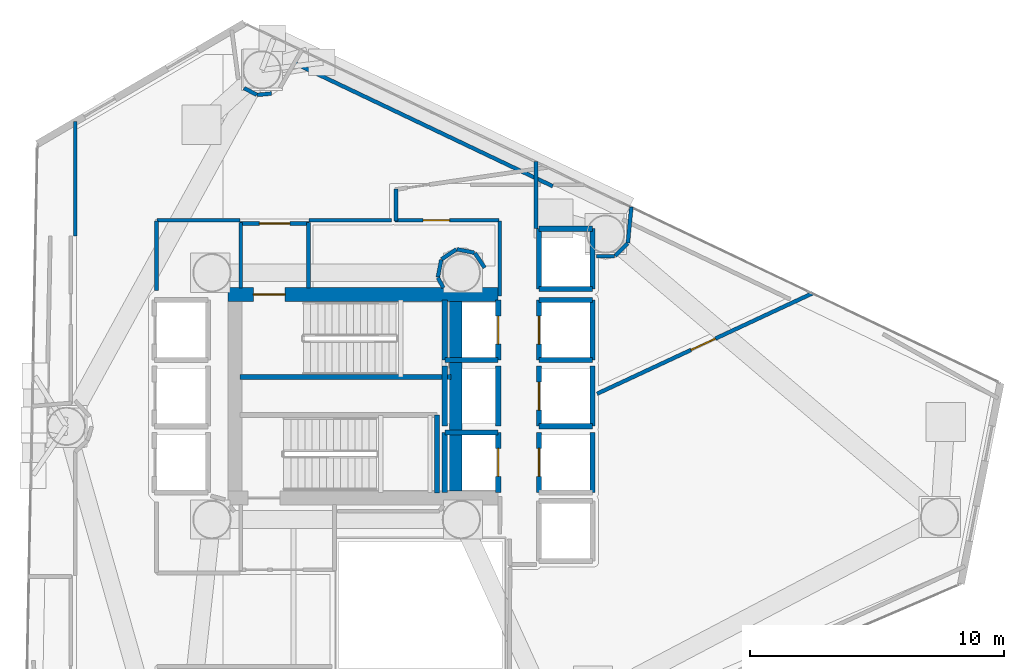
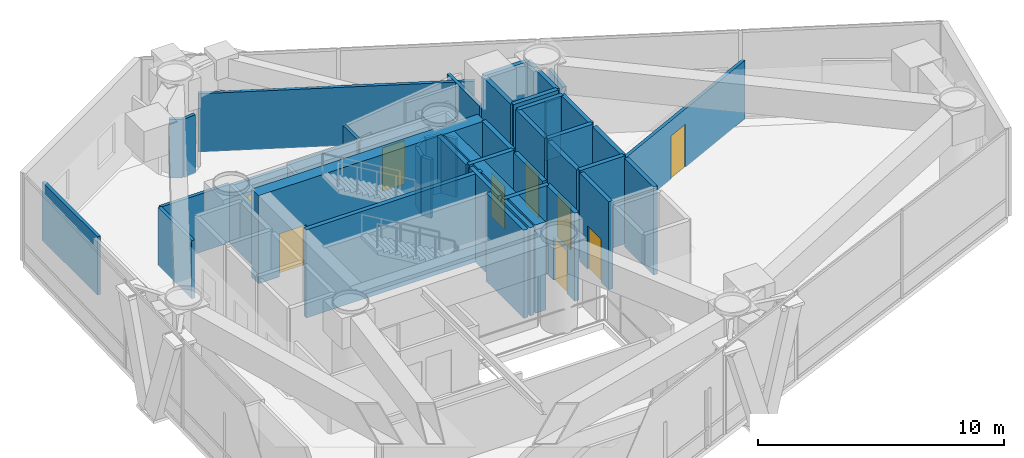
# One storey, part 19 of 22: 48 walls, 9 doors, 9 openings.
"""IFC4 building model written with IfcOpenShell, lengths in metres."""

from ifc_helpers import new_model, si_unit, direction, frame, frame_2d, origin, place, context, subcontext, project, spatial, rectangle, extrude, material, layer, layer_set, type_object, element, fill, save


model = new_model("IFC4")

# Units and contexts
model_context = context("Model", 3, precision=1e-05, world=origin(), true_north=direction((0.0, 1.0)))
body_context = subcontext(model_context, "Body", "Model", "MODEL_VIEW")
ifc_project = project(units=[si_unit("LENGTHUNIT", "METRE"), si_unit("AREAUNIT", "SQUARE_METRE"), si_unit("VOLUMEUNIT", "CUBIC_METRE"), si_unit("PLANEANGLEUNIT", "RADIAN"), si_unit("MASSUNIT", "GRAM", prefix="KILO")], contexts=[model_context])

# Site, building, storey
site_placement = place(None, origin())
site = spatial("IfcSite", under=ifc_project, at=site_placement, CompositionType="ELEMENT")
building_placement = place(site_placement, origin())
building = spatial("IfcBuilding", under=site, at=building_placement, Name="Qianvela Tower", CompositionType="ELEMENT")
storey_placement = place(building_placement, frame((0.0, 0.0, 138.5)))
storey = spatial("IfcBuildingStorey", under=building, at=storey_placement, Name="L35", CompositionType="ELEMENT", Elevation=138.5)

# Wall, opening, door
ifc_material_1 = material(Name="Concrete C60", Category="concrete")
ifc_layer_1 = layer(ifc_material_1, 0.550048828125)
ifc_layer_set_1 = layer_set([ifc_layer_1], Name="Concrete C60")
wall_type_1 = type_object("IfcWallType", Name="WT-CORE-550", PredefinedType="SHEAR", material=ifc_layer_set_1)
wall_1_placement = place(storey_placement, frame((29.22998046875, 32.695068359375, 0.0), z_axis=(0.0, 0.0, 1.0), x_axis=(1.0, 0.0, 0.0)))
wall_1 = element("IfcWall", 1, at=wall_1_placement, inside=storey, type_object=wall_type_1, Name="L35 North Core Shear Wall", PredefinedType="SHEAR", context=body_context, shape_type="SweptSolid", body=[
    extrude(rectangle(XDim=10.6201171875, YDim=0.550048828125, at=frame_2d((5.31005859375, 0.0))), origin(), (0.0, 0.0, 1.0), 4.3798828125),
])
opening_1_placement = place(wall_1_placement, frame((0.9951171875, 0.0, 0.0)))
opening_1 = element("IfcOpeningElement", 2, at=opening_1_placement, cuts=wall_1, Name="Opening D-ST1", PredefinedType="OPENING", context=body_context, shape_type="SweptSolid", body=[
    extrude(rectangle(XDim=1.25, YDim=2.14990234375, at=frame_2d((0.625, 1.074951171875))), frame((0.0, 0.284912109375, 0.0), z_axis=(0.0, -1.0, 0.0), x_axis=(1.0, 0.0, 0.0)), (0.0, 0.0, 1.0), 0.570068359375),
])
ifc_material_2 = material(Name="Galvanised Fire Steel Q355B", Category="steel")
door_type_1 = type_object("IfcDoorType", Name="DT-STAIR-FD90", OperationType="NOTDEFINED", PredefinedType="DOOR", material=ifc_material_2)
door_1_placement = place(opening_1_placement, origin())
door_1 = element("IfcDoor", 3, at=door_1_placement, inside=storey, type_object=door_type_1, Name="L35 Stair ST-1 Exit Door", OperationType="SINGLE_SWING_RIGHT", OverallHeight=2.14990234375, OverallWidth=1.25, PredefinedType="DOOR", context=body_context, shape_type="SweptSolid", body=[
    extrude(rectangle(XDim=1.25, YDim=2.14990234375, at=frame_2d((0.625, 1.074951171875))), frame((0.0, 0.02490234375, 0.0), z_axis=(0.0, -1.0, 0.0), x_axis=(1.0, 0.0, 0.0)), (0.0, 0.0, 1.0), 0.050048828125),
])
fill(opening_1, door_1)

# Walls
wall_2_placement = place(storey_placement, frame((38.179931640625, 24.97998046875, 0.0), z_axis=(0.0, 0.0, 1.0), x_axis=(0.0, 1.0, 0.0)))
element("IfcWall", 4, at=wall_2_placement, inside=storey, type_object=wall_type_1, Name="L35 East Spine Core Shear Wall", PredefinedType="SHEAR", context=body_context, shape_type="SweptSolid", body=[
    extrude(rectangle(XDim=7.43994140625, YDim=0.5, at=frame_2d((3.719970703125, 0.0))), origin(), (0.0, 0.0, 1.0), 4.3798828125),
])
ifc_material_3 = material(Name="Fire-Rated Acoustic Gypsum Board")
ifc_layer_2 = layer(ifc_material_3, 0.14990234375)
ifc_layer_set_2 = layer_set([ifc_layer_2], Name="Fire-Rated Acoustic Gypsum Board")
wall_type_2 = type_object("IfcWallType", Name="WT-CORR-150", PredefinedType="PARTITIONING", material=ifc_layer_set_2)
wall_3_placement = place(storey_placement, frame((29.73095703125, 32.9580078125, 0.0), z_axis=(0.0, 0.0, 1.0), x_axis=(0.0, 1.0, 0.0)))
element("IfcWall", 5, at=wall_3_placement, inside=storey, type_object=wall_type_2, Name="L35 Partition 2", PredefinedType="PARTITIONING", context=body_context, shape_type="SweptSolid", body=[
    extrude(rectangle(XDim=2.56201171875, YDim=0.14990234375, at=frame_2d((1.281005859375, 0.0))), origin(), (0.0, 0.0, 1.0), 2.89990234375),
])

# Wall, opening, door
wall_4_placement = place(storey_placement, frame((29.699951171875, 35.489013671875, 0.0), z_axis=(0.0, 0.0, 1.0), x_axis=(1.0, 0.0, 0.0)))
wall_4 = element("IfcWall", 6, at=wall_4_placement, inside=storey, type_object=wall_type_2, Name="L35 Partition 3", PredefinedType="PARTITIONING", context=body_context, shape_type="SweptSolid", body=[
    extrude(rectangle(XDim=2.719970703125, YDim=0.14990234375, at=frame_2d((1.35986328125, 0.0))), origin(), (0.0, 0.0, 1.0), 2.89990234375),
])
opening_2_placement = place(wall_4_placement, frame((0.760009765625, 0.0, 0.0)))
opening_2 = element("IfcOpeningElement", 7, at=opening_2_placement, cuts=wall_4, Name="Opening D-LB1", PredefinedType="OPENING", context=body_context, shape_type="SweptSolid", body=[
    extrude(rectangle(XDim=1.199951171875, YDim=2.14990234375, at=frame_2d((0.60009765625, 1.074951171875))), frame((0.0, 0.0849609375, 0.0), z_axis=(0.0, -1.0, 0.0), x_axis=(1.0, 0.0, 0.0)), (0.0, 0.0, 1.0), 0.169921875),
])
ifc_material_4 = material(Name="Glazed Fire-Rated Steel Frame", Category="steel")
door_type_2 = type_object("IfcDoorType", Name="DT-LOBBY-FD90", OperationType="NOTDEFINED", PredefinedType="DOOR", material=ifc_material_4)
door_2_placement = place(opening_2_placement, origin())
door_2 = element("IfcDoor", 8, at=door_2_placement, inside=storey, type_object=door_type_2, Name="L35 Door L35 Firefighting Lobby North to L35 Mechanical Plant Corridor", OperationType="SINGLE_SWING_LEFT", OverallHeight=2.14990234375, OverallWidth=1.199951171875, PredefinedType="DOOR", context=body_context, shape_type="SweptSolid", body=[
    extrude(rectangle(XDim=1.199951171875, YDim=2.14990234375, at=frame_2d((0.60009765625, 1.074951171875))), frame((0.0, 0.02490234375, 0.0), z_axis=(0.0, -1.0, 0.0), x_axis=(1.0, 0.0, 0.0)), (0.0, 0.0, 1.0), 0.050048828125),
])
fill(opening_2, door_2)

# Walls
wall_5_placement = place(storey_placement, frame((32.388916015625, 35.52001953125, 0.0), z_axis=(0.0, 0.0, 1.0), x_axis=(0.0, -1.0, 0.0)))
element("IfcWall", 9, at=wall_5_placement, inside=storey, type_object=wall_type_2, Name="L35 Partition 4", PredefinedType="PARTITIONING", context=body_context, shape_type="SweptSolid", body=[
    extrude(rectangle(XDim=2.56201171875, YDim=0.14990234375, at=frame_2d((1.281005859375, 0.0))), origin(), (0.0, 0.0, 1.0), 2.89990234375),
])
wall_6_placement = place(storey_placement, frame((39.910888671875, 32.639892578125, 0.0), z_axis=(0.0, 0.0, 1.0), x_axis=(0.0, 1.0, 0.0)))
element("IfcWall", 10, at=wall_6_placement, inside=storey, type_object=wall_type_2, Name="L35 Partition 10", PredefinedType="PARTITIONING", context=body_context, shape_type="SweptSolid", body=[
    extrude(rectangle(XDim=2.940185546875, YDim=0.14990234375, at=frame_2d((1.47021484375, 0.0))), origin(), (0.0, 0.0, 1.0), 2.89990234375),
])

# Wall, opening, door
wall_7_placement = place(storey_placement, frame((39.8798828125, 35.611083984375, 0.0), z_axis=(0.0, 0.0, 1.0), x_axis=(-1.0, 0.0, 0.0)))
wall_7 = element("IfcWall", 11, at=wall_7_placement, inside=storey, type_object=wall_type_2, Name="L35 Partition 11", PredefinedType="PARTITIONING", context=body_context, shape_type="SweptSolid", body=[
    extrude(rectangle(XDim=4.079833984375, YDim=0.14990234375, at=frame_2d((2.0400390625, 0.0))), origin(), (0.0, 0.0, 1.0), 2.89990234375),
])
opening_3_placement = place(wall_7_placement, frame((1.93505859375, 0.0, 0.0)))
opening_3 = element("IfcOpeningElement", 12, at=opening_3_placement, cuts=wall_7, Name="Opening D-PL1", PredefinedType="OPENING", context=body_context, shape_type="SweptSolid", body=[
    extrude(rectangle(XDim=1.050048828125, YDim=2.14990234375, at=frame_2d((0.52490234375, 1.074951171875))), frame((0.0, 0.0849609375, 0.0), z_axis=(0.0, -1.0, 0.0), x_axis=(1.0, 0.0, 0.0)), (0.0, 0.0, 1.0), 0.169921875),
])
ifc_material_5 = material(Name="Insulated Steel Fire Door Q355B", Category="steel")
door_type_3 = type_object("IfcDoorType", Name="DT-PLANT-FD90", OperationType="NOTDEFINED", PredefinedType="DOOR", material=ifc_material_5)
door_3_placement = place(opening_3_placement, origin())
door_3 = element("IfcDoor", 13, at=door_3_placement, inside=storey, type_object=door_type_3, Name="L35 Door L35 Hydronic Heat Exchanger and Fire Pump Room to L35 Lift Lobby", OperationType="SINGLE_SWING_RIGHT", OverallHeight=2.14990234375, OverallWidth=1.050048828125, PredefinedType="DOOR", context=body_context, shape_type="SweptSolid", body=[
    extrude(rectangle(XDim=1.050048828125, YDim=2.14990234375, at=frame_2d((0.52490234375, 1.074951171875))), frame((0.0, 0.02490234375, 0.0), z_axis=(0.0, -1.0, 0.0), x_axis=(1.0, 0.0, 0.0)), (0.0, 0.0, 1.0), 0.050048828125),
])
fill(opening_3, door_3)

# Walls
wall_8_placement = place(storey_placement, frame((35.8310546875, 35.580078125, 0.0), z_axis=(0.0, 0.0, 1.0), x_axis=(0.0, 1.0, 0.0)))
element("IfcWall", 14, at=wall_8_placement, inside=storey, type_object=wall_type_2, Name="L35 Partition 12", PredefinedType="PARTITIONING", context=body_context, shape_type="SweptSolid", body=[
    extrude(rectangle(XDim=1.27001953125, YDim=0.14990234375, at=frame_2d((0.635009765625, 0.0))), origin(), (0.0, 0.0, 1.0), 2.89990234375),
])
wall_9_placement = place(storey_placement, frame((41.3291015625, 37.9267578125, 0.0), z_axis=(0.0, 0.0, 1.0), x_axis=(0.0, -1.0, 0.0)))
element("IfcWall", 15, at=wall_9_placement, inside=storey, type_object=wall_type_2, Name="L35 Partition 14 seg 1", PredefinedType="PARTITIONING", context=body_context, shape_type="SweptSolid", body=[
    extrude(rectangle(XDim=2.646728515625, YDim=0.14990234375, at=frame_2d((1.3232421875, 0.0))), origin(), (0.0, 0.0, 1.0), 2.89990234375),
])
wall_10_placement = place(storey_placement, frame((23.23095703125, 35.0, 0.0), z_axis=(0.0, 0.0, 1.0), x_axis=(0.0, 1.0, 0.0)))
element("IfcWall", 16, at=wall_10_placement, inside=storey, type_object=wall_type_2, Name="L35 Partition 41 seg 1", PredefinedType="PARTITIONING", context=body_context, shape_type="SweptSolid", body=[
    extrude(rectangle(XDim=4.502685546875, YDim=0.14990234375, at=frame_2d((2.25146484375, 0.0))), origin(), (0.0, 0.0, 1.0), 2.89990234375),
])
for number, where, z_axis, x_axis, name in (
    (17, (29.863525390625, 40.807861328125, 0.0), (0.0, 0.0, 1.0), (0.881776255823, -0.471667928385, 0.0), "L35 Partition 45"),
    (18, (30.377685546875, 40.538818359375, 0.0), (0.0, 0.0, 1.0), (0.995190486182, 0.097958645417, 0.0), "L35 Partition 46"),
):
    element("IfcWall", number, at=place(storey_placement, frame(where, z_axis=z_axis, x_axis=x_axis)), inside=storey, type_object=wall_type_2, Name=name, PredefinedType="PARTITIONING", context=body_context, shape_type="SweptSolid", body=[
        extrude(rectangle(XDim=0.563232421875, YDim=0.14990234375, at=frame_2d((0.28173828125, 0.0))), origin(), (0.0, 0.0, 1.0), 2.89990234375),
    ])
wall_11_placement = place(storey_placement, frame((31.81103515625, 41.802978515625, 0.0), z_axis=(0.0, 0.0, 1.0), x_axis=(0.902784485902, -0.43009321317, 0.0)))
element("IfcWall", 19, at=wall_11_placement, inside=storey, type_object=wall_type_2, Name="L35 Partition 48", PredefinedType="PARTITIONING", context=body_context, shape_type="SweptSolid", body=[
    extrude(rectangle(XDim=11.279052734375, YDim=0.14990234375, at=frame_2d((5.6396484375, 0.0))), origin(), (0.0, 0.0, 1.0), 2.89990234375),
])
wall_12_placement = place(storey_placement, frame((35.64990234375, 35.611083984375, 0.0), z_axis=(0.0, 0.0, 1.0), x_axis=(-1.0, 0.0, 0.0)))
element("IfcWall", 20, at=wall_12_placement, inside=storey, type_object=wall_type_2, Name="L35 Partition 51 seg 1", PredefinedType="PARTITIONING", context=body_context, shape_type="SweptSolid", body=[
    extrude(rectangle(XDim=3.22998046875, YDim=0.14990234375, at=frame_2d((1.614990234375, 0.0))), origin(), (0.0, 0.0, 1.0), 2.89990234375),
])
wall_13_placement = place(storey_placement, frame((29.699951171875, 35.611083984375, 0.0), z_axis=(0.0, 0.0, 1.0), x_axis=(-1.0, 0.0, 0.0)))
element("IfcWall", 21, at=wall_13_placement, inside=storey, type_object=wall_type_2, Name="L35 Partition 51 seg 2", PredefinedType="PARTITIONING", context=body_context, shape_type="SweptSolid", body=[
    extrude(rectangle(XDim=3.25, YDim=0.14990234375, at=frame_2d((1.625, 0.0))), origin(), (0.0, 0.0, 1.0), 2.89990234375),
])
wall_14_placement = place(storey_placement, frame((26.4189453125, 35.580078125, 0.0), z_axis=(0.0, 0.0, 1.0), x_axis=(0.0, -1.0, 0.0)))
element("IfcWall", 22, at=wall_14_placement, inside=storey, type_object=wall_type_2, Name="L35 Partition 52", PredefinedType="PARTITIONING", context=body_context, shape_type="SweptSolid", body=[
    extrude(rectangle(XDim=2.728271484375, YDim=0.14990234375, at=frame_2d((1.3642578125, 0.0))), origin(), (0.0, 0.0, 1.0), 2.89990234375),
])

# Wall, opening, door
wall_15_placement = place(storey_placement, frame((43.733154296875, 28.795166015625, 0.0), z_axis=(0.0, 0.0, 1.0), x_axis=(0.906305922987, 0.422622259184, 0.0)))
wall_15 = element("IfcWall", 23, at=wall_15_placement, inside=storey, type_object=wall_type_2, Name="L35 Partition 71", PredefinedType="PARTITIONING", context=body_context, shape_type="SweptSolid", body=[
    extrude(rectangle(XDim=9.343994140625, YDim=0.14990234375, at=frame_2d((4.671875, 0.0))), origin(), (0.0, 0.0, 1.0), 2.89990234375),
])
opening_4_placement = place(wall_15_placement, frame((4.077880859375, 0.0, 0.0)))
opening_4 = element("IfcOpeningElement", 24, at=opening_4_placement, cuts=wall_15, Name="Opening D-PL1", PredefinedType="OPENING", context=body_context, shape_type="SweptSolid", body=[
    extrude(rectangle(XDim=1.050048828125, YDim=2.14990234375, at=frame_2d((0.52490234375, 1.074951171875))), frame((0.0, 0.0849609375, 0.0), z_axis=(0.0, -1.0, 0.0), x_axis=(1.0, 0.0, 0.0)), (0.0, 0.0, 1.0), 0.169921875),
])
door_4_placement = place(opening_4_placement, origin())
door_4 = element("IfcDoor", 25, at=door_4_placement, inside=storey, type_object=door_type_3, Name="L35 Door L35 Air Handling and Smoke Exhaust Plant Room to L35 Fire Refuge Area 3", OperationType="SINGLE_SWING_LEFT", OverallHeight=2.14990234375, OverallWidth=1.050048828125, PredefinedType="DOOR", context=body_context, shape_type="SweptSolid", body=[
    extrude(rectangle(XDim=1.050048828125, YDim=2.14990234375, at=frame_2d((0.52490234375, 1.074951171875))), frame((0.0, 0.02490234375, 0.0), z_axis=(0.0, -1.0, 0.0), x_axis=(1.0, 0.0, 0.0)), (0.0, 0.0, 1.0), 0.050048828125),
])
fill(opening_4, door_4)

# Walls
wall_16_placement = place(storey_placement, frame((43.716552734375, 34.201416015625, 0.0), z_axis=(0.0, 0.0, 1.0), x_axis=(0.999989798395, -0.004516979631, 0.0)))
element("IfcWall", 26, at=wall_16_placement, inside=storey, type_object=wall_type_2, Name="L35 Partition 96", PredefinedType="PARTITIONING", context=body_context, shape_type="SweptSolid", body=[
    extrude(rectangle(XDim=0.70263671875, YDim=0.14990234375, at=frame_2d((0.351318359375, 0.0))), origin(), (0.0, 0.0, 1.0), 2.89990234375),
])
wall_17_placement = place(storey_placement, frame((44.441162109375, 34.207275390625, 0.0), z_axis=(0.0, 0.0, 1.0), x_axis=(0.707106781187, 0.707106781187, 0.0)))
element("IfcWall", 27, at=wall_17_placement, inside=storey, type_object=wall_type_2, Name="L35 Partition 97", PredefinedType="PARTITIONING", context=body_context, shape_type="SweptSolid", body=[
    extrude(rectangle(XDim=0.6962890625, YDim=0.14990234375, at=frame_2d((0.34814453125, 0.0))), origin(), (0.0, 0.0, 1.0), 2.89990234375),
])
wall_18_placement = place(storey_placement, frame((44.942626953125, 34.71875, 0.0), z_axis=(0.0, 0.0, 1.0), x_axis=(0.09799656461, 0.995186752989, 0.0)))
element("IfcWall", 28, at=wall_18_placement, inside=storey, type_object=wall_type_2, Name="L35 Partition 98", PredefinedType="PARTITIONING", context=body_context, shape_type="SweptSolid", body=[
    extrude(rectangle(XDim=1.427490234375, YDim=0.14990234375, at=frame_2d((0.7138671875, 0.0))), origin(), (0.0, 0.0, 1.0), 2.89990234375),
])
wall_19_placement = place(storey_placement, frame((39.317138671875, 33.748291015625, 0.0), z_axis=(0.0, 0.0, 1.0), x_axis=(-0.556649926744, 0.830747169153, 0.0)))
element("IfcWall", 29, at=wall_19_placement, inside=storey, type_object=wall_type_2, Name="L35 Partition 102", PredefinedType="PARTITIONING", context=body_context, shape_type="SweptSolid", body=[
    extrude(rectangle(XDim=0.69287109375, YDim=0.14990234375, at=frame_2d((0.346435546875, 0.0))), origin(), (0.0, 0.0, 1.0), 2.89990234375),
])
wall_20_placement = place(storey_placement, frame((38.91162109375, 34.3369140625, 0.0), z_axis=(0.0, 0.0, 1.0), x_axis=(-0.98075554424, 0.195239756305, 0.0)))
element("IfcWall", 30, at=wall_20_placement, inside=storey, type_object=wall_type_2, Name="L35 Partition 103", PredefinedType="PARTITIONING", context=body_context, shape_type="SweptSolid", body=[
    extrude(rectangle(XDim=0.696533203125, YDim=0.14990234375, at=frame_2d((0.34814453125, 0.0))), origin(), (0.0, 0.0, 1.0), 2.89990234375),
])
wall_21_placement = place(storey_placement, frame((38.205078125, 34.46826171875, 0.0), z_axis=(0.0, 0.0, 1.0), x_axis=(-0.831348365513, -0.555751648814, 0.0)))
element("IfcWall", 31, at=wall_21_placement, inside=storey, type_object=wall_type_2, Name="L35 Partition 104", PredefinedType="PARTITIONING", context=body_context, shape_type="SweptSolid", body=[
    extrude(rectangle(XDim=0.6962890625, YDim=0.14990234375, at=frame_2d((0.34814453125, 0.0))), origin(), (0.0, 0.0, 1.0), 2.89990234375),
])
wall_22_placement = place(storey_placement, frame((37.613037109375, 34.0615234375, 0.0), z_axis=(0.0, 0.0, 1.0), x_axis=(-0.195239756305, -0.98075554424, 0.0)))
element("IfcWall", 32, at=wall_22_placement, inside=storey, type_object=wall_type_2, Name="L35 Partition 105", PredefinedType="PARTITIONING", context=body_context, shape_type="SweptSolid", body=[
    extrude(rectangle(XDim=0.696533203125, YDim=0.14990234375, at=frame_2d((0.34814453125, 0.0))), origin(), (0.0, 0.0, 1.0), 2.89990234375),
])
wall_23_placement = place(storey_placement, frame((37.47998046875, 33.35791015625, 0.0), z_axis=(0.0, 0.0, 1.0), x_axis=(0.471593841364, -0.881815881455, 0.0)))
element("IfcWall", 33, at=wall_23_placement, inside=storey, type_object=wall_type_2, Name="L35 Partition 106", PredefinedType="PARTITIONING", context=body_context, shape_type="SweptSolid", body=[
    extrude(rectangle(XDim=0.45361328125, YDim=0.14990234375, at=frame_2d((0.226806640625, 0.0))), origin(), (0.0, 0.0, 1.0), 2.89990234375),
])
ifc_material_6 = material(Name="Concrete C50", Category="concrete")
ifc_layer_3 = layer(ifc_material_6, 0.199951171875)
ifc_layer_set_3 = layer_set([ifc_layer_3], Name="Concrete C50")
wall_type_3 = type_object("IfcWallType", Name="WT-SHAFT-200", PredefinedType="SOLIDWALL", material=ifc_layer_set_3)
wall_24_placement = place(storey_placement, frame((29.699951171875, 29.449951171875, 0.0), z_axis=(0.0, 0.0, 1.0), x_axis=(1.0, 0.0, 0.0)))
element("IfcWall", 34, at=wall_24_placement, inside=storey, type_object=wall_type_3, Name="L35 Stair ST-1 South Wall", PredefinedType="SOLIDWALL", context=body_context, shape_type="SweptSolid", body=[
    extrude(rectangle(XDim=8.300048828125, YDim=0.199951171875, at=frame_2d((4.14990234375, 0.0))), origin(), (0.0, 0.0, 1.0), 4.3798828125),
])
wall_25_placement = place(storey_placement, frame((37.449951171875, 24.89990234375, 0.0), z_axis=(0.0, 0.0, 1.0), x_axis=(0.0, 1.0, 0.0)))
element("IfcWall", 35, at=wall_25_placement, inside=storey, type_object=wall_type_3, Name="L35 Stair ST-2 East Wall", PredefinedType="SOLIDWALL", context=body_context, shape_type="SweptSolid", body=[
    extrude(rectangle(XDim=3.06005859375, YDim=0.199951171875, at=frame_2d((1.530029296875, 0.0))), origin(), (0.0, 0.0, 1.0), 4.3798828125),
])

# Wall, opening, door
wall_26_placement = place(storey_placement, frame((39.85009765625, 30.1201171875, 0.0), z_axis=(0.0, 0.0, 1.0), x_axis=(0.0, 1.0, 0.0)))
wall_26 = element("IfcWall", 36, at=wall_26_placement, inside=storey, type_object=wall_type_3, Name="L35 Lift FL-1 E Shaft Wall", PredefinedType="SOLIDWALL", context=body_context, shape_type="SweptSolid", body=[
    extrude(rectangle(XDim=2.35986328125, YDim=0.199951171875, at=frame_2d((1.179931640625, 0.0))), origin(), (0.0, 0.0, 1.0), 4.3798828125),
])
opening_5_placement = place(wall_26_placement, frame((0.6298828125, 0.0, 0.0)))
opening_5 = element("IfcOpeningElement", 37, at=opening_5_placement, cuts=wall_26, Name="Opening LD-01", PredefinedType="OPENING", context=body_context, shape_type="SweptSolid", body=[
    extrude(rectangle(XDim=1.10009765625, YDim=2.14990234375, at=frame_2d((0.550048828125, 1.074951171875))), frame((0.0, 0.10986328125, 0.0), z_axis=(0.0, -1.0, 0.0), x_axis=(1.0, 0.0, 0.0)), (0.0, 0.0, 1.0), 0.219970703125),
])
ifc_material_7 = material(Name="Brushed Stainless Steel Lift Landing Door", Category="steel")
door_type_4 = type_object("IfcDoorType", Name="DT-LIFT-SLIDE-1100", OperationType="SLIDING_TO_LEFT", PredefinedType="DOOR", material=ifc_material_7)
door_5_placement = place(opening_5_placement, origin())
door_5 = element("IfcDoor", 38, at=door_5_placement, inside=storey, type_object=door_type_4, Name="L35 Lift FL-1 Sliding Landing Door", OperationType="SLIDING_TO_LEFT", OverallHeight=2.14990234375, OverallWidth=1.10009765625, PredefinedType="DOOR", context=body_context, shape_type="SweptSolid", body=[
    extrude(rectangle(XDim=1.10009765625, YDim=2.14990234375, at=frame_2d((0.550048828125, 1.074951171875))), frame((0.0, 0.02490234375, 0.0), z_axis=(0.0, -1.0, 0.0), x_axis=(1.0, 0.0, 0.0)), (0.0, 0.0, 1.0), 0.050048828125),
])
fill(opening_5, door_5)

# Walls
wall_27_placement = place(storey_placement, frame((37.75, 30.1201171875, 0.0), z_axis=(0.0, 0.0, 1.0), x_axis=(0.0, 1.0, 0.0)))
element("IfcWall", 39, at=wall_27_placement, inside=storey, type_object=wall_type_3, Name="L35 Lift FL-1 W Shaft Wall", PredefinedType="SOLIDWALL", context=body_context, shape_type="SweptSolid", body=[
    extrude(rectangle(XDim=2.35986328125, YDim=0.199951171875, at=frame_2d((1.179931640625, 0.0))), origin(), (0.0, 0.0, 1.0), 4.3798828125),
])
wall_28_placement = place(storey_placement, frame((37.75, 30.1201171875, 0.0), z_axis=(0.0, 0.0, 1.0), x_axis=(1.0, 0.0, 0.0)))
element("IfcWall", 40, at=wall_28_placement, inside=storey, type_object=wall_type_3, Name="L35 Lift FL-1 S Shaft Wall", PredefinedType="SOLIDWALL", context=body_context, shape_type="SweptSolid", body=[
    extrude(rectangle(XDim=2.10009765625, YDim=0.199951171875, at=frame_2d((1.050048828125, 0.0))), origin(), (0.0, 0.0, 1.0), 4.3798828125),
])

# Wall, opening, door
wall_29_placement = place(storey_placement, frame((39.85009765625, 24.919921875, 0.0), z_axis=(0.0, 0.0, 1.0), x_axis=(0.0, 1.0, 0.0)))
wall_29 = element("IfcWall", 41, at=wall_29_placement, inside=storey, type_object=wall_type_3, Name="L35 Lift FL-2 E Shaft Wall", PredefinedType="SOLIDWALL", context=body_context, shape_type="SweptSolid", body=[
    extrude(rectangle(XDim=2.360107421875, YDim=0.199951171875, at=frame_2d((1.18017578125, 0.0))), origin(), (0.0, 0.0, 1.0), 4.3798828125),
])
opening_6_placement = place(wall_29_placement, frame((0.6298828125, 0.0, 0.0)))
opening_6 = element("IfcOpeningElement", 42, at=opening_6_placement, cuts=wall_29, Name="Opening LD-01", PredefinedType="OPENING", context=body_context, shape_type="SweptSolid", body=[
    extrude(rectangle(XDim=1.10009765625, YDim=2.14990234375, at=frame_2d((0.550048828125, 1.074951171875))), frame((0.0, 0.10986328125, 0.0), z_axis=(0.0, -1.0, 0.0), x_axis=(1.0, 0.0, 0.0)), (0.0, 0.0, 1.0), 0.219970703125),
])
door_6_placement = place(opening_6_placement, origin())
door_6 = element("IfcDoor", 43, at=door_6_placement, inside=storey, type_object=door_type_4, Name="L35 Lift FL-2 Sliding Landing Door", OperationType="SLIDING_TO_LEFT", OverallHeight=2.14990234375, OverallWidth=1.10009765625, PredefinedType="DOOR", context=body_context, shape_type="SweptSolid", body=[
    extrude(rectangle(XDim=1.10009765625, YDim=2.14990234375, at=frame_2d((0.550048828125, 1.074951171875))), frame((0.0, 0.02490234375, 0.0), z_axis=(0.0, -1.0, 0.0), x_axis=(1.0, 0.0, 0.0)), (0.0, 0.0, 1.0), 0.050048828125),
])
fill(opening_6, door_6)

# Walls
wall_30_placement = place(storey_placement, frame((37.75, 24.919921875, 0.0), z_axis=(0.0, 0.0, 1.0), x_axis=(0.0, 1.0, 0.0)))
element("IfcWall", 44, at=wall_30_placement, inside=storey, type_object=wall_type_3, Name="L35 Lift FL-2 W Shaft Wall", PredefinedType="SOLIDWALL", context=body_context, shape_type="SweptSolid", body=[
    extrude(rectangle(XDim=2.360107421875, YDim=0.199951171875, at=frame_2d((1.18017578125, 0.0))), origin(), (0.0, 0.0, 1.0), 4.3798828125),
])
wall_31_placement = place(storey_placement, frame((37.75, 27.280029296875, 0.0), z_axis=(0.0, 0.0, 1.0), x_axis=(1.0, 0.0, 0.0)))
element("IfcWall", 45, at=wall_31_placement, inside=storey, type_object=wall_type_3, Name="L35 Lift FL-2 N Shaft Wall", PredefinedType="SOLIDWALL", context=body_context, shape_type="SweptSolid", body=[
    extrude(rectangle(XDim=2.10009765625, YDim=0.199951171875, at=frame_2d((1.050048828125, 0.0))), origin(), (0.0, 0.0, 1.0), 4.3798828125),
])
wall_32_placement = place(storey_placement, frame((43.550048828125, 30.1201171875, 0.0), z_axis=(0.0, 0.0, 1.0), x_axis=(0.0, 1.0, 0.0)))
element("IfcWall", 46, at=wall_32_placement, inside=storey, type_object=wall_type_3, Name="L35 Lift PL-M1 E Shaft Wall", PredefinedType="SOLIDWALL", context=body_context, shape_type="SweptSolid", body=[
    extrude(rectangle(XDim=2.35986328125, YDim=0.199951171875, at=frame_2d((1.179931640625, 0.0))), origin(), (0.0, 0.0, 1.0), 4.3798828125),
])

# Wall, opening, door
wall_33_placement = place(storey_placement, frame((41.449951171875, 30.1201171875, 0.0), z_axis=(0.0, 0.0, 1.0), x_axis=(0.0, 1.0, 0.0)))
wall_33 = element("IfcWall", 47, at=wall_33_placement, inside=storey, type_object=wall_type_3, Name="L35 Lift PL-M1 W Shaft Wall", PredefinedType="SOLIDWALL", context=body_context, shape_type="SweptSolid", body=[
    extrude(rectangle(XDim=2.35986328125, YDim=0.199951171875, at=frame_2d((1.179931640625, 0.0))), origin(), (0.0, 0.0, 1.0), 4.3798828125),
])
opening_7_placement = place(wall_33_placement, frame((0.6298828125, 0.0, 0.0)))
opening_7 = element("IfcOpeningElement", 48, at=opening_7_placement, cuts=wall_33, Name="Opening LD-01", PredefinedType="OPENING", context=body_context, shape_type="SweptSolid", body=[
    extrude(rectangle(XDim=1.10009765625, YDim=2.14990234375, at=frame_2d((0.550048828125, 1.074951171875))), frame((0.0, 0.10986328125, 0.0), z_axis=(0.0, -1.0, 0.0), x_axis=(1.0, 0.0, 0.0)), (0.0, 0.0, 1.0), 0.219970703125),
])
door_7_placement = place(opening_7_placement, origin())
door_7 = element("IfcDoor", 49, at=door_7_placement, inside=storey, type_object=door_type_4, Name="L35 Lift PL-M1 Sliding Landing Door", OperationType="SLIDING_TO_LEFT", OverallHeight=2.14990234375, OverallWidth=1.10009765625, PredefinedType="DOOR", context=body_context, shape_type="SweptSolid", body=[
    extrude(rectangle(XDim=1.10009765625, YDim=2.14990234375, at=frame_2d((0.550048828125, 1.074951171875))), frame((0.0, 0.02490234375, 0.0), z_axis=(0.0, -1.0, 0.0), x_axis=(1.0, 0.0, 0.0)), (0.0, 0.0, 1.0), 0.050048828125),
])
fill(opening_7, door_7)

# Walls
for number, where, z_axis, x_axis, name in (
    (50, (41.449951171875, 32.47998046875, 0.0), (0.0, 0.0, 1.0), (1.0, 0.0, 0.0), "L35 Lift PL-M1 N Shaft Wall"),
    (51, (41.449951171875, 30.1201171875, 0.0), (0.0, 0.0, 1.0), (1.0, 0.0, 0.0), "L35 Lift PL-M1 S Shaft Wall"),
):
    element("IfcWall", number, at=place(storey_placement, frame(where, z_axis=z_axis, x_axis=x_axis)), inside=storey, type_object=wall_type_3, Name=name, PredefinedType="SOLIDWALL", context=body_context, shape_type="SweptSolid", body=[
        extrude(rectangle(XDim=2.10009765625, YDim=0.199951171875, at=frame_2d((1.050048828125, 0.0))), origin(), (0.0, 0.0, 1.0), 4.3798828125),
    ])
wall_34_placement = place(storey_placement, frame((43.550048828125, 27.52001953125, 0.0), z_axis=(0.0, 0.0, 1.0), x_axis=(0.0, 1.0, 0.0)))
element("IfcWall", 52, at=wall_34_placement, inside=storey, type_object=wall_type_3, Name="L35 Lift PL-M2 E Shaft Wall", PredefinedType="SOLIDWALL", context=body_context, shape_type="SweptSolid", body=[
    extrude(rectangle(XDim=2.35986328125, YDim=0.199951171875, at=frame_2d((1.179931640625, 0.0))), origin(), (0.0, 0.0, 1.0), 4.3798828125),
])

# Wall, opening, door
wall_35_placement = place(storey_placement, frame((41.449951171875, 27.52001953125, 0.0), z_axis=(0.0, 0.0, 1.0), x_axis=(0.0, 1.0, 0.0)))
wall_35 = element("IfcWall", 53, at=wall_35_placement, inside=storey, type_object=wall_type_3, Name="L35 Lift PL-M2 W Shaft Wall", PredefinedType="SOLIDWALL", context=body_context, shape_type="SweptSolid", body=[
    extrude(rectangle(XDim=2.35986328125, YDim=0.199951171875, at=frame_2d((1.179931640625, 0.0))), origin(), (0.0, 0.0, 1.0), 4.3798828125),
])
opening_8_placement = place(wall_35_placement, frame((0.6298828125, 0.0, 0.0)))
opening_8 = element("IfcOpeningElement", 54, at=opening_8_placement, cuts=wall_35, Name="Opening LD-01", PredefinedType="OPENING", context=body_context, shape_type="SweptSolid", body=[
    extrude(rectangle(XDim=1.10009765625, YDim=2.14990234375, at=frame_2d((0.550048828125, 1.074951171875))), frame((0.0, 0.10986328125, 0.0), z_axis=(0.0, -1.0, 0.0), x_axis=(1.0, 0.0, 0.0)), (0.0, 0.0, 1.0), 0.219970703125),
])
door_8_placement = place(opening_8_placement, origin())
door_8 = element("IfcDoor", 55, at=door_8_placement, inside=storey, type_object=door_type_4, Name="L35 Lift PL-M2 Sliding Landing Door", OperationType="SLIDING_TO_LEFT", OverallHeight=2.14990234375, OverallWidth=1.10009765625, PredefinedType="DOOR", context=body_context, shape_type="SweptSolid", body=[
    extrude(rectangle(XDim=1.10009765625, YDim=2.14990234375, at=frame_2d((0.550048828125, 1.074951171875))), frame((0.0, 0.02490234375, 0.0), z_axis=(0.0, -1.0, 0.0), x_axis=(1.0, 0.0, 0.0)), (0.0, 0.0, 1.0), 0.050048828125),
])
fill(opening_8, door_8)

# Walls
wall_36_placement = place(storey_placement, frame((41.449951171875, 27.52001953125, 0.0), z_axis=(0.0, 0.0, 1.0), x_axis=(1.0, 0.0, 0.0)))
element("IfcWall", 56, at=wall_36_placement, inside=storey, type_object=wall_type_3, Name="L35 Lift PL-M2 S Shaft Wall", PredefinedType="SOLIDWALL", context=body_context, shape_type="SweptSolid", body=[
    extrude(rectangle(XDim=2.10009765625, YDim=0.199951171875, at=frame_2d((1.050048828125, 0.0))), origin(), (0.0, 0.0, 1.0), 4.3798828125),
])
wall_37_placement = place(storey_placement, frame((43.550048828125, 24.919921875, 0.0), z_axis=(0.0, 0.0, 1.0), x_axis=(0.0, 1.0, 0.0)))
element("IfcWall", 57, at=wall_37_placement, inside=storey, type_object=wall_type_3, Name="L35 Lift PL-M3 E Shaft Wall", PredefinedType="SOLIDWALL", context=body_context, shape_type="SweptSolid", body=[
    extrude(rectangle(XDim=2.360107421875, YDim=0.199951171875, at=frame_2d((1.18017578125, 0.0))), origin(), (0.0, 0.0, 1.0), 4.3798828125),
])

# Wall, opening, door
wall_38_placement = place(storey_placement, frame((41.449951171875, 24.919921875, 0.0), z_axis=(0.0, 0.0, 1.0), x_axis=(0.0, 1.0, 0.0)))
wall_38 = element("IfcWall", 58, at=wall_38_placement, inside=storey, type_object=wall_type_3, Name="L35 Lift PL-M3 W Shaft Wall", PredefinedType="SOLIDWALL", context=body_context, shape_type="SweptSolid", body=[
    extrude(rectangle(XDim=2.360107421875, YDim=0.199951171875, at=frame_2d((1.18017578125, 0.0))), origin(), (0.0, 0.0, 1.0), 4.3798828125),
])
opening_9_placement = place(wall_38_placement, frame((0.6298828125, 0.0, 0.0)))
opening_9 = element("IfcOpeningElement", 59, at=opening_9_placement, cuts=wall_38, Name="Opening LD-01", PredefinedType="OPENING", context=body_context, shape_type="SweptSolid", body=[
    extrude(rectangle(XDim=1.10009765625, YDim=2.14990234375, at=frame_2d((0.550048828125, 1.074951171875))), frame((0.0, 0.10986328125, 0.0), z_axis=(0.0, -1.0, 0.0), x_axis=(1.0, 0.0, 0.0)), (0.0, 0.0, 1.0), 0.219970703125),
])
door_9_placement = place(opening_9_placement, origin())
door_9 = element("IfcDoor", 60, at=door_9_placement, inside=storey, type_object=door_type_4, Name="L35 Lift PL-M3 Sliding Landing Door", OperationType="SLIDING_TO_LEFT", OverallHeight=2.14990234375, OverallWidth=1.10009765625, PredefinedType="DOOR", context=body_context, shape_type="SweptSolid", body=[
    extrude(rectangle(XDim=1.10009765625, YDim=2.14990234375, at=frame_2d((0.550048828125, 1.074951171875))), frame((0.0, 0.02490234375, 0.0), z_axis=(0.0, -1.0, 0.0), x_axis=(1.0, 0.0, 0.0)), (0.0, 0.0, 1.0), 0.050048828125),
])
fill(opening_9, door_9)

# Walls
for number, where, z_axis, x_axis, name in (
    (61, (39.85009765625, 27.52001953125, 0.0), (0.0, 0.0, 1.0), (0.0, 1.0, 0.0), "L35 Lift PL-H1 E Shaft Wall"),
    (62, (37.75, 27.52001953125, 0.0), (0.0, 0.0, 1.0), (0.0, 1.0, 0.0), "L35 Lift PL-H1 W Shaft Wall"),
):
    element("IfcWall", number, at=place(storey_placement, frame(where, z_axis=z_axis, x_axis=x_axis)), inside=storey, type_object=wall_type_3, Name=name, PredefinedType="SOLIDWALL", context=body_context, shape_type="SweptSolid", body=[
        extrude(rectangle(XDim=2.35986328125, YDim=0.199951171875, at=frame_2d((1.179931640625, 0.0))), origin(), (0.0, 0.0, 1.0), 4.3798828125),
    ])
for number, where, z_axis, x_axis, name in (
    (63, (43.550048828125, 32.919921875, 0.0), (0.0, 0.0, 1.0), (0.0, 1.0, 0.0), "L35 Lift PL-H3 E Shaft Wall"),
    (64, (41.449951171875, 32.919921875, 0.0), (0.0, 0.0, 1.0), (0.0, 1.0, 0.0), "L35 Lift PL-H3 W Shaft Wall"),
):
    element("IfcWall", number, at=place(storey_placement, frame(where, z_axis=z_axis, x_axis=x_axis)), inside=storey, type_object=wall_type_3, Name=name, PredefinedType="SOLIDWALL", context=body_context, shape_type="SweptSolid", body=[
        extrude(rectangle(XDim=2.360107421875, YDim=0.199951171875, at=frame_2d((1.18017578125, 0.0))), origin(), (0.0, 0.0, 1.0), 4.3798828125),
    ])
for number, where, z_axis, x_axis, name in (
    (65, (41.449951171875, 35.280029296875, 0.0), (0.0, 0.0, 1.0), (1.0, 0.0, 0.0), "L35 Lift PL-H3 N Shaft Wall"),
    (66, (41.449951171875, 32.919921875, 0.0), (0.0, 0.0, 1.0), (1.0, 0.0, 0.0), "L35 Lift PL-H3 S Shaft Wall"),
):
    element("IfcWall", number, at=place(storey_placement, frame(where, z_axis=z_axis, x_axis=x_axis)), inside=storey, type_object=wall_type_3, Name=name, PredefinedType="SOLIDWALL", context=body_context, shape_type="SweptSolid", body=[
        extrude(rectangle(XDim=2.10009765625, YDim=0.199951171875, at=frame_2d((1.050048828125, 0.0))), origin(), (0.0, 0.0, 1.0), 4.3798828125),
    ])

save(model, "model.ifc")
